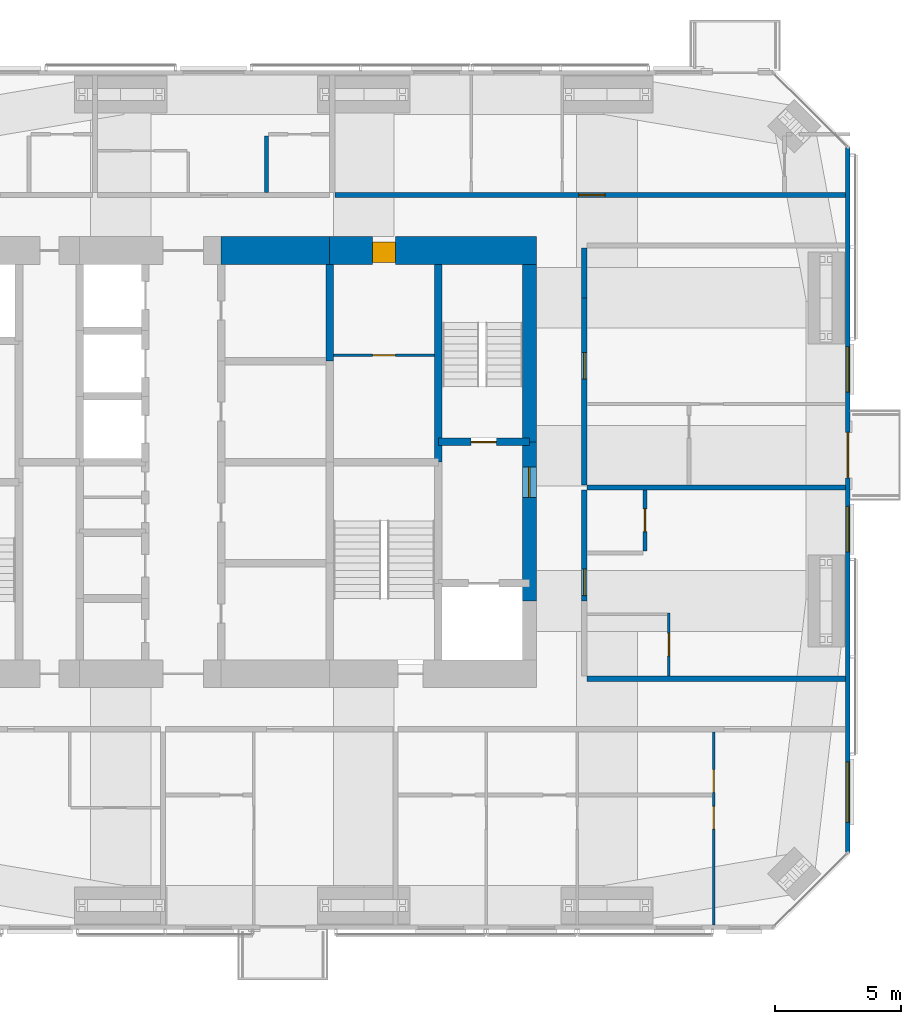
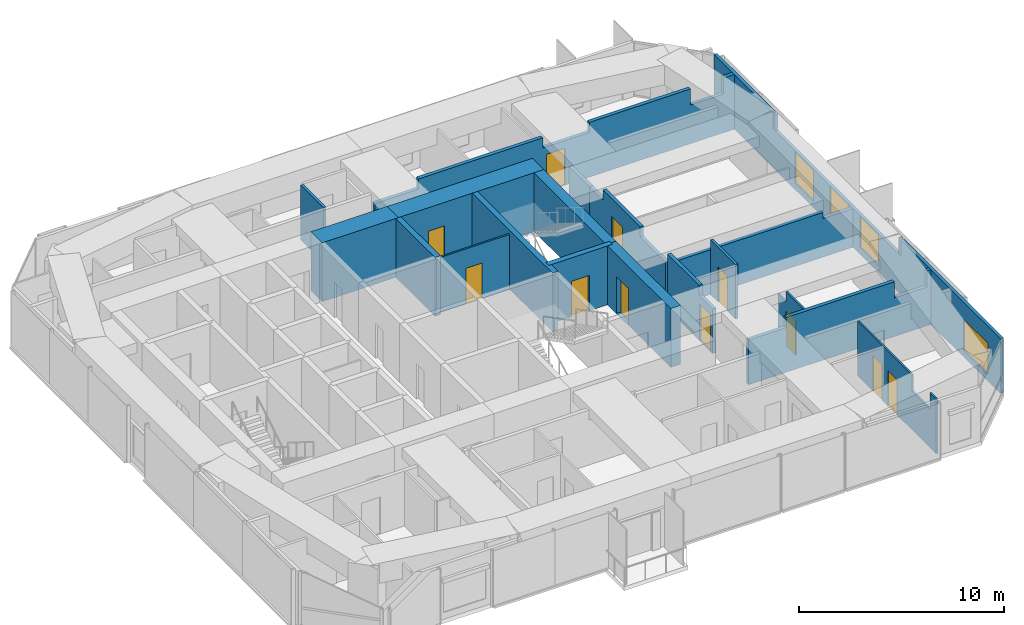
# One storey, part 15 of 18: 19 walls, 12 doors, 3 windows, 15 openings.
"""IFC4 building model written with IfcOpenShell, lengths in metres."""

from ifc_helpers import new_model, si_unit, direction, frame, frame_2d, origin, place, context, subcontext, project, spatial, polyline, rectangle, outline, extrude, material, layer, layer_set, constituent, constituent_set, type_object, element, fill, save


model = new_model("IFC4")

# Units and contexts
model_context = context("Model", 3, precision=1e-05, world=origin(), true_north=direction((0.0, 1.0)))
body_context = subcontext(model_context, "Body", "Model", "MODEL_VIEW")
ifc_project = project(units=[si_unit("LENGTHUNIT", "METRE"), si_unit("AREAUNIT", "SQUARE_METRE"), si_unit("VOLUMEUNIT", "CUBIC_METRE"), si_unit("PLANEANGLEUNIT", "RADIAN"), si_unit("MASSUNIT", "GRAM", prefix="KILO")], contexts=[model_context])

# Site, building, storey
site_placement = place(None, origin())
site = spatial("IfcSite", under=ifc_project, at=site_placement, CompositionType="ELEMENT")
building_placement = place(site_placement, origin())
building = spatial("IfcBuilding", under=site, at=building_placement, Name="Jalousie Tower", CompositionType="ELEMENT")
storey_placement = place(building_placement, frame((0.0, 0.0, 228.449951171875)))
storey = spatial("IfcBuildingStorey", under=building, at=storey_placement, Name="L62", CompositionType="ELEMENT", Elevation=228.449951171875)

# Wall
ifc_material_1 = material(Name="Concrete block ASTM C90", Category="concrete")
ifc_constituent_1 = constituent(ifc_material_1, Name="Body")
ifc_material_2 = material(Name="Render")
ifc_constituent_2 = constituent(ifc_material_2, Name="Finish")
ifc_constituent_set_1 = constituent_set(constituents=[ifc_constituent_1, ifc_constituent_2])
wall_type_1 = type_object("IfcWallType", Name="BATHROOM WALL 150", PredefinedType="PLUMBINGWALL", material=ifc_constituent_set_1)
wall_1_placement = place(storey_placement, frame((33.39990234375, 31.39990234375, 0.0), z_axis=(0.0, 0.0, 1.0), x_axis=(0.0, -1.0, 0.0)))
element("IfcWall", 1, at=wall_1_placement, inside=storey, type_object=wall_type_1, Name="Bathroom Wall 150 L62", PredefinedType="PLUMBINGWALL", context=body_context, shape_type="SweptSolid", body=[
    extrude(rectangle(XDim=2.224853515625, YDim=0.14990234375, at=frame_2d((1.1123046875, 0.0))), origin(), (0.0, 0.0, 1.0), 3.260009765625),
])

# Wall, opening, door
wall_2_placement = place(storey_placement, frame((48.375, 14.97509765625, 0.0), z_axis=(0.0, 0.0, 1.0), x_axis=(0.0, 1.0, 0.0)))
wall_2 = element("IfcWall", 2, at=wall_2_placement, inside=storey, type_object=wall_type_1, Name="Bathroom Wall 150 L62", PredefinedType="PLUMBINGWALL", context=body_context, shape_type="SweptSolid", body=[
    extrude(rectangle(XDim=2.4248046875, YDim=0.14990234375, at=frame_2d((1.21240234375, 0.0))), origin(), (0.0, 0.0, 1.0), 3.260009765625),
])
opening_1_placement = place(wall_2_placement, frame((0.77490234375, 0.0, 0.0)))
opening_1 = element("IfcOpeningElement", 3, at=opening_1_placement, cuts=wall_2, Name="Opening D3", PredefinedType="OPENING", context=body_context, shape_type="SweptSolid", body=[
    extrude(rectangle(XDim=0.89990234375, YDim=2.10009765625, at=frame_2d((0.449951171875, 1.050048828125))), frame((0.0, 0.0849609375, 0.0), z_axis=(0.0, -1.0, 0.0), x_axis=(1.0, 0.0, 0.0)), (0.0, 0.0, 1.0), 0.169921875),
])
ifc_material_3 = material(Name="Timber door", Category="wood")
door_type_1 = type_object("IfcDoorType", Name="BATHROOM DOOR 900", OperationType="SINGLE_SWING_LEFT", PredefinedType="DOOR", material=ifc_material_3)
door_1_placement = place(opening_1_placement, origin())
door_1 = element("IfcDoor", 4, at=door_1_placement, inside=storey, type_object=door_type_1, Name="Apartment 6207 bathroom door", OperationType="SINGLE_SWING_RIGHT", OverallHeight=2.10009765625, OverallWidth=0.89990234375, PredefinedType="DOOR", context=body_context, shape_type="SweptSolid", body=[
    extrude(rectangle(XDim=0.89990234375, YDim=2.10009765625, at=frame_2d((0.449951171875, 1.050048828125))), frame((0.0, 0.02490234375, 0.0), z_axis=(0.0, -1.0, 0.0), x_axis=(1.0, 0.0, 0.0)), (0.0, 0.0, 1.0), 0.050048828125),
])
fill(opening_1, door_1)

ifc_material_4 = material(Name="Concrete f'c 120 MPa", Category="concrete")
ifc_layer_1 = layer(ifc_material_4, 1.10009765625)
ifc_layer_set_1 = layer_set([ifc_layer_1], Name="Concrete f'c 120 MPa")
wall_type_2 = type_object("IfcWallType", Name="CORE WALL 1100", PredefinedType="SHEAR", material=ifc_layer_set_1)
wall_3_placement = place(storey_placement, frame((44.074951171875, 26.875, 0.0), z_axis=(0.0, 0.0, 1.0), x_axis=(-1.0, 0.0, 0.0)))
wall_3 = element("IfcWall", 5, at=wall_3_placement, inside=storey, type_object=wall_type_2, Name="Core wall NA L62", PredefinedType="SHEAR", context=body_context, shape_type="SweptSolid", body=[
    extrude(rectangle(XDim=8.175048828125, YDim=1.10009765625, at=frame_2d((4.08740234375, 0.0))), origin(), (0.0, 0.0, 1.0), 3.5),
])
opening_2_placement = place(wall_3_placement, frame((5.574951171875, 0.0, 0.0)))
opening_2 = element("IfcOpeningElement", 6, at=opening_2_placement, cuts=wall_3, Name="Opening D26", PredefinedType="OPENING", context=body_context, shape_type="SweptSolid", body=[
    extrude(rectangle(XDim=0.89990234375, YDim=2.10009765625, at=frame_2d((0.449951171875, 1.050048828125))), frame((0.0, 0.56005859375, 0.0), z_axis=(0.0, -1.0, 0.0), x_axis=(1.0, 0.0, 0.0)), (0.0, 0.0, 1.0), 1.1201171875),
])
ifc_material_5 = material(Name="Steel fire door", Category="steel")
door_type_2 = type_object("IfcDoorType", Name="HOUSEKEEPING STORE DOOR 900", OperationType="SINGLE_SWING_LEFT", PredefinedType="DOOR", material=ifc_material_5)
door_2_placement = place(opening_2_placement, origin())
door_2 = element("IfcDoor", 7, at=door_2_placement, inside=storey, type_object=door_type_2, Name="Housekeeping store door", OperationType="SINGLE_SWING_LEFT", OverallHeight=2.10009765625, OverallWidth=0.89990234375, PredefinedType="DOOR", context=body_context, shape_type="SweptSolid", body=[
    extrude(rectangle(XDim=0.89990234375, YDim=2.10009765625, at=frame_2d((0.449951171875, 1.050048828125))), frame((0.0, 0.47021484375, 0.0), z_axis=(0.0, -1.0, 0.0), x_axis=(1.0, 0.0, 0.0)), (0.0, 0.0, 1.0), 0.800048828125),
])
fill(opening_2, door_2)

# Walls
wall_4_placement = place(storey_placement, frame((35.89990234375, 26.875, 0.0), z_axis=(0.0, 0.0, 1.0), x_axis=(-1.0, 0.0, 0.0)))
element("IfcWall", 8, at=wall_4_placement, inside=storey, type_object=wall_type_2, Name="Core wall NB L62", PredefinedType="SHEAR", context=body_context, shape_type="SweptSolid", body=[
    extrude(rectangle(XDim=4.2998046875, YDim=1.10009765625, at=frame_2d((2.14990234375, 0.0))), origin(), (0.0, 0.0, 1.0), 3.5),
])
ifc_material_6 = material(Name="Concrete f'c 120 MPa", Category="concrete")
ifc_layer_2 = layer(ifc_material_6, 0.300048828125)
ifc_layer_set_2 = layer_set([ifc_layer_2], Name="Concrete f'c 120 MPa")
wall_type_3 = type_object("IfcWallType", Name="CORE WALL 300", PredefinedType="SHEAR", material=ifc_layer_set_2)
wall_5_placement = place(storey_placement, frame((35.89990234375, 22.5, 0.0), z_axis=(0.0, 0.0, 1.0), x_axis=(0.0, 1.0, 0.0)))
element("IfcWall", 9, at=wall_5_placement, inside=storey, type_object=wall_type_3, Name="Core wall X35.9D L62", PredefinedType="SHEAR", context=body_context, shape_type="SweptSolid", body=[
    extrude(rectangle(XDim=3.824951171875, YDim=0.300048828125, at=frame_2d((1.91259765625, 0.0))), origin(), (0.0, 0.0, 1.0), 3.5),
])
wall_6_placement = place(storey_placement, frame((40.199951171875, 18.5, 0.0), z_axis=(0.0, 0.0, 1.0), x_axis=(0.0, 1.0, 0.0)))
element("IfcWall", 10, at=wall_6_placement, inside=storey, type_object=wall_type_3, Name="Core wall X40.2C L62", PredefinedType="SHEAR", context=body_context, shape_type="SweptSolid", body=[
    extrude(rectangle(XDim=7.824951171875, YDim=0.300048828125, at=frame_2d((3.91259765625, 0.0))), origin(), (0.0, 0.0, 1.0), 3.5),
])

# Wall, opening, door
wall_7_placement = place(storey_placement, frame((40.199951171875, 19.300048828125, 0.0), z_axis=(0.0, 0.0, 1.0), x_axis=(1.0, 0.0, 0.0)))
wall_7 = element("IfcWall", 11, at=wall_7_placement, inside=storey, type_object=wall_type_3, Name="Core wall Y40.2-19.3 L62", PredefinedType="SHEAR", context=body_context, shape_type="SweptSolid", body=[
    extrude(rectangle(XDim=3.60009765625, YDim=0.300048828125, at=frame_2d((1.800048828125, 0.0))), origin(), (0.0, 0.0, 1.0), 3.5),
])
opening_3_placement = place(wall_7_placement, frame((1.300048828125, 0.0, 0.0)))
opening_3 = element("IfcOpeningElement", 12, at=opening_3_placement, cuts=wall_7, Name="Opening D10", PredefinedType="OPENING", context=body_context, shape_type="SweptSolid", body=[
    extrude(rectangle(XDim=1.0, YDim=2.10009765625, at=frame_2d((0.5, 1.050048828125))), frame((0.0, 0.159912109375, 0.0), z_axis=(0.0, -1.0, 0.0), x_axis=(1.0, 0.0, 0.0)), (0.0, 0.0, 1.0), 0.320068359375),
])
ifc_material_7 = material(Name="Steel fire door", Category="steel")
door_type_3 = type_object("IfcDoorType", Name="STAIR DOOR 1000", OperationType="SINGLE_SWING_LEFT", PredefinedType="DOOR", material=ifc_material_7)
door_3_placement = place(opening_3_placement, origin())
door_3 = element("IfcDoor", 13, at=door_3_placement, inside=storey, type_object=door_type_3, Name="Exit stair B door", OperationType="SINGLE_SWING_RIGHT", OverallHeight=2.10009765625, OverallWidth=1.0, PredefinedType="DOOR", context=body_context, shape_type="SweptSolid", body=[
    extrude(rectangle(XDim=1.0, YDim=2.10009765625, at=frame_2d((0.5, 1.050048828125))), frame((0.0, 0.02490234375, 0.0), z_axis=(0.0, -1.0, 0.0), x_axis=(1.0, 0.0, 0.0)), (0.0, 0.0, 1.0), 0.050048828125),
])
fill(opening_3, door_3)

ifc_material_8 = material(Name="Concrete f'c 120 MPa", Category="concrete")
ifc_layer_3 = layer(ifc_material_8, 0.550048828125)
ifc_layer_set_3 = layer_set([ifc_layer_3], Name="Concrete f'c 120 MPa")
wall_type_4 = type_object("IfcWallType", Name="CORE WALL 550", PredefinedType="SHEAR", material=ifc_layer_set_3)
wall_8_placement = place(storey_placement, frame((43.800048828125, 13.0, 0.0), z_axis=(0.0, 0.0, 1.0), x_axis=(0.0, 1.0, 0.0)))
wall_8 = element("IfcWall", 14, at=wall_8_placement, inside=storey, type_object=wall_type_4, Name="Core wall EB L62", PredefinedType="SHEAR", context=body_context, shape_type="SweptSolid", body=[
    extrude(rectangle(XDim=6.300048828125, YDim=0.550048828125, at=frame_2d((3.14990234375, 0.0))), origin(), (0.0, 0.0, 1.0), 3.5),
])
opening_4_placement = place(wall_8_placement, frame((4.10009765625, 0.0, 0.0)))
opening_4 = element("IfcOpeningElement", 15, at=opening_4_placement, cuts=wall_8, Name="Opening D11", PredefinedType="OPENING", context=body_context, shape_type="SweptSolid", body=[
    extrude(rectangle(XDim=1.199951171875, YDim=2.199951171875, at=frame_2d((0.60009765625, 1.10009765625))), frame((0.0, 0.284912109375, 0.0), z_axis=(0.0, -1.0, 0.0), x_axis=(1.0, 0.0, 0.0)), (0.0, 0.0, 1.0), 0.570068359375),
])
ifc_material_9 = material(Name="Steel fire door", Category="steel")
door_type_4 = type_object("IfcDoorType", Name="FIRE DOOR 1200", OperationType="SINGLE_SWING_LEFT", PredefinedType="DOOR", material=ifc_material_9)
door_4_placement = place(opening_4_placement, origin())
door_4 = element("IfcDoor", 16, at=door_4_placement, inside=storey, type_object=door_type_4, Name="Fire-fighting lobby B door", OperationType="SINGLE_SWING_RIGHT", OverallHeight=2.199951171875, OverallWidth=1.199951171875, PredefinedType="DOOR", context=body_context, shape_type="SweptSolid", body=[
    extrude(rectangle(XDim=1.199951171875, YDim=2.199951171875, at=frame_2d((0.60009765625, 1.10009765625))), frame((0.0, 0.02490234375, 0.0), z_axis=(0.0, -1.0, 0.0), x_axis=(1.0, 0.0, 0.0)), (0.0, 0.0, 1.0), 0.050048828125),
])
fill(opening_4, door_4)

# Walls
wall_9_placement = place(storey_placement, frame((43.800048828125, 19.300048828125, 0.0), z_axis=(0.0, 0.0, 1.0), x_axis=(0.0, 1.0, 0.0)))
element("IfcWall", 17, at=wall_9_placement, inside=storey, type_object=wall_type_4, Name="Core wall EC L62", PredefinedType="SHEAR", context=body_context, shape_type="SweptSolid", body=[
    extrude(rectangle(XDim=7.02490234375, YDim=0.550048828125, at=frame_2d((3.512451171875, 0.0))), origin(), (0.0, 0.0, 1.0), 3.5),
])
ifc_material_10 = material(Name="Concrete block ASTM C90", Category="concrete")
ifc_constituent_3 = constituent(ifc_material_10, Name="Body")
ifc_material_11 = material(Name="Render")
ifc_constituent_4 = constituent(ifc_material_11, Name="Finish")
ifc_constituent_set_2 = constituent_set(constituents=[ifc_constituent_3, ifc_constituent_4])
wall_type_5 = type_object("IfcWallType", Name="CORRIDOR WALL 200", PredefinedType="PARTITIONING", material=ifc_constituent_set_2)
wall_10_placement = place(storey_placement, frame((46.074951171875, 9.925048828125, 0.0), z_axis=(0.0, 0.0, 1.0), x_axis=(1.0, 0.0, 0.0)))
element("IfcWall", 18, at=wall_10_placement, inside=storey, type_object=wall_type_5, Name="Corridor Wall 200 L62", PredefinedType="PARTITIONING", context=body_context, shape_type="SweptSolid", body=[
    extrude(outline(polyline([(0.0, 0.0), (10.25, 0.0), (10.25, 3.260009765625), (10.032958984375, 3.260009765625), (10.032958984375, 2.300048828125), (8.20068359375, 2.300048828125), (8.20068359375, 3.260009765625), (2.110107421875, 3.260009765625), (2.110107421875, 2.66015625), (0.0, 2.66015625), (0.0, 3.260009765625), (0.0, 0.0)])), frame((0.0, 0.10009765625, 0.0), z_axis=(0.0, -1.0, 0.0), x_axis=(1.0, 0.0, 0.0)), (0.0, 0.0, 1.0), 0.199951171875),
])

# Wall, opening, door
wall_11_placement = place(storey_placement, frame((36.10009765625, 29.074951171875, 0.0), z_axis=(0.0, 0.0, 1.0), x_axis=(1.0, 0.0, 0.0)))
wall_11 = element("IfcWall", 19, at=wall_11_placement, inside=storey, type_object=wall_type_5, Name="Corridor Wall 200 L62", PredefinedType="PARTITIONING", context=body_context, shape_type="SweptSolid", body=[
    extrude(outline(polyline([(0.0, 0.0), (20.224853515625, 0.0), (20.22509765625, 3.260009765625), (19.621337890625, 3.260009765625), (19.621337890625, 2.300048828125), (17.7705078125, 2.300048828125), (17.7705078125, 3.260009765625), (12.0849609375, 3.260009765625), (12.0849609375, 2.66015625), (9.465087890625, 2.66015625), (9.465087890625, 3.260009765625), (2.4599609375, 3.260009765625), (2.4599609375, 2.66015625), (0.0, 2.66015625), (0.0, 3.260009765625), (0.0, 0.0)])), frame((0.0, 0.10009765625, 0.0), z_axis=(0.0, -1.0, 0.0), x_axis=(1.0, 0.0, 0.0)), (0.0, 0.0, 1.0), 0.199951171875),
])
opening_5_placement = place(wall_11_placement, frame((9.64990234375, 0.0, 0.0)))
opening_5 = element("IfcOpeningElement", 20, at=opening_5_placement, cuts=wall_11, Name="Opening D1", PredefinedType="OPENING", context=body_context, shape_type="SweptSolid", body=[
    extrude(rectangle(XDim=1.050048828125, YDim=2.199951171875, at=frame_2d((0.52490234375, 1.10009765625))), frame((0.0, 0.10986328125, 0.0), z_axis=(0.0, -1.0, 0.0), x_axis=(1.0, 0.0, 0.0)), (0.0, 0.0, 1.0), 0.219970703125),
])
ifc_material_12 = material(Name="Timber fire door", Category="wood")
door_type_5 = type_object("IfcDoorType", Name="APARTMENT ENTRANCE DOOR 1050", OperationType="SINGLE_SWING_LEFT", PredefinedType="DOOR", material=ifc_material_12)
door_5_placement = place(opening_5_placement, origin())
door_5 = element("IfcDoor", 21, at=door_5_placement, inside=storey, type_object=door_type_5, Name="Apartment 6206 entrance", OperationType="SINGLE_SWING_LEFT", OverallHeight=2.199951171875, OverallWidth=1.050048828125, PredefinedType="DOOR", context=body_context, shape_type="SweptSolid", body=[
    extrude(rectangle(XDim=1.050048828125, YDim=2.199951171875, at=frame_2d((0.52490234375, 1.10009765625))), frame((0.0, 0.02490234375, 0.0), z_axis=(0.0, -1.0, 0.0), x_axis=(1.0, 0.0, 0.0)), (0.0, 0.0, 1.0), 0.050048828125),
])
fill(opening_5, door_5)

wall_12_placement = place(storey_placement, frame((45.97509765625, 13.0, 0.0), z_axis=(0.0, 0.0, 1.0), x_axis=(0.0, 1.0, 0.0)))
wall_12 = element("IfcWall", 22, at=wall_12_placement, inside=storey, type_object=wall_type_5, Name="Corridor Wall 200 L62-B", PredefinedType="PARTITIONING", context=body_context, shape_type="SweptSolid", body=[
    extrude(outline(polyline([(0.0, 0.0), (4.39990234375, 0.0), (4.39990234375, 3.260009765625), (1.31005859375, 3.260009765625), (1.31005859375, 2.66015625), (0.0, 2.66015625), (0.0, 0.0)])), frame((0.0, 0.10009765625, 0.0), z_axis=(0.0, -1.0, 0.0), x_axis=(1.0, 0.0, 0.0)), (0.0, 0.0, 1.0), 0.199951171875),
])
opening_6_placement = place(wall_12_placement, frame((0.21240234375, 0.0, 0.0)))
opening_6 = element("IfcOpeningElement", 23, at=opening_6_placement, cuts=wall_12, Name="Opening D1", PredefinedType="OPENING", context=body_context, shape_type="SweptSolid", body=[
    extrude(rectangle(XDim=1.050048828125, YDim=2.199951171875, at=frame_2d((0.52490234375, 1.10009765625))), frame((0.0, 0.10986328125, 0.0), z_axis=(0.0, -1.0, 0.0), x_axis=(1.0, 0.0, 0.0)), (0.0, 0.0, 1.0), 0.219970703125),
])
door_6_placement = place(opening_6_placement, frame((1.050048828125, 0.0, 0.0), z_axis=(0.0, 0.0, 1.0), x_axis=(-1.0, 0.0, 0.0)))
door_6 = element("IfcDoor", 24, at=door_6_placement, inside=storey, type_object=door_type_5, Name="Apartment 6207 entrance", OperationType="SINGLE_SWING_LEFT", OverallHeight=2.199951171875, OverallWidth=1.050048828125, PredefinedType="DOOR", context=body_context, shape_type="SweptSolid", body=[
    extrude(rectangle(XDim=1.050048828125, YDim=2.199951171875, at=frame_2d((0.52490234375, 1.10009765625))), frame((0.0, 0.02490234375, 0.0), z_axis=(0.0, -1.0, 0.0), x_axis=(1.0, 0.0, 0.0)), (0.0, 0.0, 1.0), 0.050048828125),
])
fill(opening_6, door_6)

wall_13_placement = place(storey_placement, frame((45.97509765625, 17.60009765625, 0.0), z_axis=(0.0, 0.0, 1.0), x_axis=(0.0, 1.0, 0.0)))
wall_13 = element("IfcWall", 25, at=wall_13_placement, inside=storey, type_object=wall_type_5, Name="Corridor Wall 200 L62-A", PredefinedType="PARTITIONING", context=body_context, shape_type="SweptSolid", body=[
    extrude(outline(polyline([(0.0, 0.0), (7.39990234375, 0.0), (7.39990234375, 2.66015625), (6.090087890625, 2.66015625), (6.090087890625, 3.260009765625), (2.4599609375, 3.260009765625), (2.4599609375, 2.66015625), (0.0, 2.66015625), (0.0, 0.0)])), frame((0.0, 0.10009765625, 0.0), z_axis=(0.0, -1.0, 0.0), x_axis=(1.0, 0.0, 0.0)), (0.0, 0.0, 1.0), 0.199951171875),
])
opening_7_placement = place(wall_13_placement, frame((4.1875, 0.0, 0.0)))
opening_7 = element("IfcOpeningElement", 26, at=opening_7_placement, cuts=wall_13, Name="Opening D1", PredefinedType="OPENING", context=body_context, shape_type="SweptSolid", body=[
    extrude(rectangle(XDim=1.050048828125, YDim=2.199951171875, at=frame_2d((0.52490234375, 1.10009765625))), frame((0.0, 0.10986328125, 0.0), z_axis=(0.0, -1.0, 0.0), x_axis=(1.0, 0.0, 0.0)), (0.0, 0.0, 1.0), 0.219970703125),
])
door_7_placement = place(opening_7_placement, frame((1.050048828125, 0.0, 0.0), z_axis=(0.0, 0.0, 1.0), x_axis=(-1.0, 0.0, 0.0)))
door_7 = element("IfcDoor", 27, at=door_7_placement, inside=storey, type_object=door_type_5, Name="Apartment 6208 entrance", OperationType="SINGLE_SWING_RIGHT", OverallHeight=2.199951171875, OverallWidth=1.050048828125, PredefinedType="DOOR", context=body_context, shape_type="SweptSolid", body=[
    extrude(rectangle(XDim=1.050048828125, YDim=2.199951171875, at=frame_2d((0.52490234375, 1.10009765625))), frame((0.0, 0.02490234375, 0.0), z_axis=(0.0, -1.0, 0.0), x_axis=(1.0, 0.0, 0.0)), (0.0, 0.0, 1.0), 0.050048828125),
])
fill(opening_7, door_7)

# Wall
wall_14_placement = place(storey_placement, frame((45.97509765625, 25.0, 0.0), z_axis=(0.0, 0.0, 1.0), x_axis=(0.0, 1.0, 0.0)))
element("IfcWall", 28, at=wall_14_placement, inside=storey, type_object=wall_type_5, Name="Corridor Wall 200 L62-B", PredefinedType="PARTITIONING", context=body_context, shape_type="SweptSolid", body=[
    extrude(rectangle(XDim=1.97509765625, YDim=0.199951171875, at=frame_2d((0.987548828125, 0.0))), origin(), (0.0, 0.0, 1.0), 2.66015625),
])

# Wall, openings, door, windows
ifc_material_13 = material(Name="Concrete f'c 40 MPa", Category="concrete")
ifc_constituent_5 = constituent(ifc_material_13, Name="Body")
ifc_material_14 = material(Name="Render, pastel sky blue")
ifc_constituent_6 = constituent(ifc_material_14, Name="Finish")
ifc_constituent_set_3 = constituent_set(constituents=[ifc_constituent_5, ifc_constituent_6])
wall_type_6 = type_object("IfcWallType", Name="EXTERNAL WALL 175 SKY BLUE RENDER", PredefinedType="SOLIDWALL", material=ifc_constituent_set_3)
wall_15_placement = place(storey_placement, frame((56.41259765625, 3.05126953125, 0.0), z_axis=(0.0, 0.0, 1.0), x_axis=(0.0, 1.0, 0.0)))
wall_15 = element("IfcWall", 29, at=wall_15_placement, inside=storey, type_object=wall_type_6, Name="External Wall 175 Sky Blue Render L62", PredefinedType="SOLIDWALL", context=body_context, shape_type="SweptSolid", body=[
    extrude(outline(polyline([(0.0, 0.0), (27.8974609375, 0.0), (27.8974609375, 3.260009765625), (22.1572265625, 3.260009765625), (22.1572265625, 2.300048828125), (22.092041015625, 2.300048828125), (22.092041015625, 3.260009765625), (21.94873046875, 3.260009765625), (21.94873046875, 2.300048828125), (9.94873046875, 2.300048828125), (9.94873046875, 3.260009765625), (9.8583984375, 3.260009765625), (9.8583984375, 2.300048828125), (9.6875, 2.300048828125), (9.6875, 3.260009765625), (0.0, 3.260009765625), (0.0, 0.0)])), frame((0.0, 0.08740234375, 0.0), z_axis=(0.0, -1.0, 0.0), x_axis=(1.0, 0.0, 0.0)), (0.0, 0.0, 1.0), 0.175048828125),
])
opening_8_placement = place(wall_15_placement, frame((1.18701171875, 0.0, 0.39990234375)))
opening_8 = element("IfcOpeningElement", 30, at=opening_8_placement, cuts=wall_15, Name="Opening W-LIV185", PredefinedType="OPENING", context=body_context, shape_type="SweptSolid", body=[
    extrude(rectangle(XDim=2.39990234375, YDim=1.85009765625, at=frame_2d((1.199951171875, 0.925048828125))), frame((0.0, 0.097412109375, 0.0), z_axis=(0.0, -1.0, 0.0), x_axis=(1.0, 0.0, 0.0)), (0.0, 0.0, 1.0), 0.195068359375),
])
opening_9_placement = place(wall_15_placement, frame((11.897216796875, 0.0, 0.39990234375)))
opening_9 = element("IfcOpeningElement", 31, at=opening_9_placement, cuts=wall_15, Name="Opening W-BED185", PredefinedType="OPENING", context=body_context, shape_type="SweptSolid", body=[
    extrude(rectangle(XDim=1.800048828125, YDim=1.85009765625, at=frame_2d((0.89990234375, 0.925048828125))), frame((0.0, 0.097412109375, 0.0), z_axis=(0.0, -1.0, 0.0), x_axis=(1.0, 0.0, 0.0)), (0.0, 0.0, 1.0), 0.195068359375),
])
opening_10_placement = place(wall_15_placement, frame((14.82373046875, 0.0, 0.0)))
opening_10 = element("IfcOpeningElement", 32, at=opening_10_placement, cuts=wall_15, Name="Opening D-BAL22", PredefinedType="OPENING", context=body_context, shape_type="SweptSolid", body=[
    extrude(rectangle(XDim=1.800048828125, YDim=2.25, at=frame_2d((0.89990234375, 1.125))), frame((0.0, 0.097412109375, 0.0), z_axis=(0.0, -1.0, 0.0), x_axis=(1.0, 0.0, 0.0)), (0.0, 0.0, 1.0), 0.195068359375),
])
opening_11_placement = place(wall_15_placement, frame((18.2236328125, 0.0, 0.39990234375)))
opening_11 = element("IfcOpeningElement", 33, at=opening_11_placement, cuts=wall_15, Name="Opening W-BED185", PredefinedType="OPENING", context=body_context, shape_type="SweptSolid", body=[
    extrude(rectangle(XDim=1.800048828125, YDim=1.85009765625, at=frame_2d((0.89990234375, 0.925048828125))), frame((0.0, 0.097412109375, 0.0), z_axis=(0.0, -1.0, 0.0), x_axis=(1.0, 0.0, 0.0)), (0.0, 0.0, 1.0), 0.195068359375),
])
ifc_material_15 = material(Name="Aluminium frame, impact-rated glazing", Category="aluminium")
door_type_6 = type_object("IfcDoorType", Name="BALCONY DOOR 1800x2250", OperationType="SLIDING_TO_LEFT", PredefinedType="DOOR", material=ifc_material_15)
door_8_placement = place(opening_10_placement, origin())
door_8 = element("IfcDoor", 34, at=door_8_placement, inside=storey, type_object=door_type_6, Name="Apartment 6208 bedroom 1 balcony door", OperationType="SLIDING_TO_LEFT", OverallHeight=2.25, OverallWidth=1.800048828125, PredefinedType="DOOR", context=body_context, shape_type="SweptSolid", body=[
    extrude(rectangle(XDim=1.800048828125, YDim=2.25, at=frame_2d((0.89990234375, 1.125))), frame((0.0, 0.02490234375, 0.0), z_axis=(0.0, -1.0, 0.0), x_axis=(1.0, 0.0, 0.0)), (0.0, 0.0, 1.0), 0.050048828125),
])
fill(opening_10, door_8)
ifc_material_16 = material(Name="Aluminium frame, impact-rated glazing", Category="aluminium")
window_type_1 = type_object("IfcWindowType", Name="WINDOW BED 1800x1850", PartitioningType="SINGLE_PANEL", PredefinedType="WINDOW", material=ifc_material_16)
window_1_placement = place(opening_9_placement, origin())
window_1 = element("IfcWindow", 35, at=window_1_placement, inside=storey, type_object=window_type_1, Name="Apartment 6207 studio living and sleeping room window", OverallHeight=1.85009765625, OverallWidth=1.800048828125, PartitioningType="SINGLE_PANEL", PredefinedType="WINDOW", context=body_context, shape_type="SweptSolid", body=[
    extrude(rectangle(XDim=1.800048828125, YDim=1.85009765625, at=frame_2d((0.89990234375, 0.925048828125))), frame((0.0, 0.030029296875, 0.0), z_axis=(0.0, -1.0, 0.0), x_axis=(1.0, 0.0, 0.0)), (0.0, 0.0, 1.0), 0.06005859375),
])
fill(opening_9, window_1)
window_2_placement = place(opening_11_placement, origin())
window_2 = element("IfcWindow", 36, at=window_2_placement, inside=storey, type_object=window_type_1, Name="Apartment 6208 living, dining and kitchen window", OverallHeight=1.85009765625, OverallWidth=1.800048828125, PartitioningType="SINGLE_PANEL", PredefinedType="WINDOW", context=body_context, shape_type="SweptSolid", body=[
    extrude(rectangle(XDim=1.800048828125, YDim=1.85009765625, at=frame_2d((0.89990234375, 0.925048828125))), frame((0.0, 0.030029296875, 0.0), z_axis=(0.0, -1.0, 0.0), x_axis=(1.0, 0.0, 0.0)), (0.0, 0.0, 1.0), 0.06005859375),
])
fill(opening_11, window_2)
ifc_material_17 = material(Name="Aluminium frame, impact-rated glazing", Category="aluminium")
window_type_2 = type_object("IfcWindowType", Name="WINDOW LIV 2400x1850", PartitioningType="DOUBLE_PANEL_VERTICAL", PredefinedType="WINDOW", material=ifc_material_17)
window_3_placement = place(opening_8_placement, origin())
window_3 = element("IfcWindow", 37, at=window_3_placement, inside=storey, type_object=window_type_2, Name="Apartment 6203 living, dining and kitchen window", OverallHeight=1.85009765625, OverallWidth=2.39990234375, PartitioningType="SINGLE_PANEL", PredefinedType="WINDOW", context=body_context, shape_type="SweptSolid", body=[
    extrude(rectangle(XDim=2.39990234375, YDim=1.85009765625, at=frame_2d((1.199951171875, 0.925048828125))), frame((0.0, 0.030029296875, 0.0), z_axis=(0.0, -1.0, 0.0), x_axis=(1.0, 0.0, 0.0)), (0.0, 0.0, 1.0), 0.06005859375),
])
fill(opening_8, window_3)

# Wall, openings, doors
ifc_material_18 = material(Name="Gypsum board", Category="gypsum")
ifc_constituent_7 = constituent(ifc_material_18, Name="Body")
ifc_material_19 = material(Name="Light-gauge steel studs ASTM A653 SS Grade 33", Category="steel")
ifc_constituent_8 = constituent(ifc_material_19, Name="Framing")
ifc_constituent_set_4 = constituent_set(constituents=[ifc_constituent_7, ifc_constituent_8])
wall_type_7 = type_object("IfcWallType", Name="PARTITION 100", PredefinedType="PARTITIONING", material=ifc_constituent_set_4)
wall_16_placement = place(storey_placement, frame((51.10009765625, 0.175048828125, 0.0), z_axis=(0.0, 0.0, 1.0), x_axis=(0.0, 1.0, 0.0)))
wall_16 = element("IfcWall", 38, at=wall_16_placement, inside=storey, type_object=wall_type_7, Name="Partition 100 L62", PredefinedType="PARTITIONING", context=body_context, shape_type="SweptSolid", body=[
    extrude(outline(polyline([(0.0, 0.0), (7.64990234375, 0.0), (7.64990234375, 3.260009765625), (2.36328125, 3.260009765625), (2.36328125, 2.300048828125), (0.61865234375, 2.300048828125), (0.61865234375, 3.260009765625), (0.0, 3.260009765625), (0.0, 0.0)])), frame((0.0, 0.050048828125, 0.0), z_axis=(0.0, -1.0, 0.0), x_axis=(1.0, 0.0, 0.0)), (0.0, 0.0, 1.0), 0.10009765625),
])
opening_12_placement = place(wall_16_placement, frame((3.800048828125, 0.0, 0.0)))
opening_12 = element("IfcOpeningElement", 39, at=opening_12_placement, cuts=wall_16, Name="Opening D2", PredefinedType="OPENING", context=body_context, shape_type="SweptSolid", body=[
    extrude(rectangle(XDim=0.89990234375, YDim=2.10009765625, at=frame_2d((0.449951171875, 1.050048828125))), frame((0.0, 0.06005859375, 0.0), z_axis=(0.0, -1.0, 0.0), x_axis=(1.0, 0.0, 0.0)), (0.0, 0.0, 1.0), 0.1201171875),
])
opening_13_placement = place(wall_16_placement, frame((5.25, 0.0, 0.0)))
opening_13 = element("IfcOpeningElement", 40, at=opening_13_placement, cuts=wall_16, Name="Opening D7", PredefinedType="OPENING", context=body_context, shape_type="SweptSolid", body=[
    extrude(rectangle(XDim=0.89990234375, YDim=2.10009765625, at=frame_2d((0.449951171875, 1.050048828125))), frame((0.0, 0.06005859375, 0.0), z_axis=(0.0, -1.0, 0.0), x_axis=(1.0, 0.0, 0.0)), (0.0, 0.0, 1.0), 0.1201171875),
])
ifc_material_20 = material(Name="Timber door", Category="wood")
door_type_7 = type_object("IfcDoorType", Name="BEDROOM DOOR 900", OperationType="SINGLE_SWING_LEFT", PredefinedType="DOOR", material=ifc_material_20)
door_9_placement = place(opening_12_placement, origin())
door_9 = element("IfcDoor", 41, at=door_9_placement, inside=storey, type_object=door_type_7, Name="Apartment 6203 bedroom 3 door", OperationType="SINGLE_SWING_RIGHT", OverallHeight=2.10009765625, OverallWidth=0.89990234375, PredefinedType="DOOR", context=body_context, shape_type="SweptSolid", body=[
    extrude(rectangle(XDim=0.89990234375, YDim=2.10009765625, at=frame_2d((0.449951171875, 1.050048828125))), frame((0.0, 0.02490234375, 0.0), z_axis=(0.0, -1.0, 0.0), x_axis=(1.0, 0.0, 0.0)), (0.0, 0.0, 1.0), 0.050048828125),
])
fill(opening_12, door_9)
ifc_material_21 = material(Name="Timber door", Category="wood")
door_type_8 = type_object("IfcDoorType", Name="INTERNAL DOOR 900", OperationType="SINGLE_SWING_LEFT", PredefinedType="DOOR", material=ifc_material_21)
door_10_placement = place(opening_13_placement, origin())
door_10 = element("IfcDoor", 42, at=door_10_placement, inside=storey, type_object=door_type_8, Name="Apartment 6203 bathroom door", OperationType="SINGLE_SWING_LEFT", OverallHeight=2.10009765625, OverallWidth=0.89990234375, PredefinedType="DOOR", context=body_context, shape_type="SweptSolid", body=[
    extrude(rectangle(XDim=0.89990234375, YDim=2.10009765625, at=frame_2d((0.449951171875, 1.050048828125))), frame((0.0, 0.02490234375, 0.0), z_axis=(0.0, -1.0, 0.0), x_axis=(1.0, 0.0, 0.0)), (0.0, 0.0, 1.0), 0.050048828125),
])
fill(opening_13, door_10)

# Wall, opening, door
wall_17_placement = place(storey_placement, frame((49.324951171875, 10.02490234375, 0.0), z_axis=(0.0, 0.0, 1.0), x_axis=(0.0, 1.0, 0.0)))
wall_17 = element("IfcWall", 43, at=wall_17_placement, inside=storey, type_object=wall_type_7, Name="Partition 100 L62", PredefinedType="PARTITIONING", context=body_context, shape_type="SweptSolid", body=[
    extrude(outline(polyline([(0.0, 0.0), (2.5, 0.0), (2.5, 3.260009765625), (2.5, 2.66015625), (1.715087890625, 2.66015625), (1.715087890625, 3.260009765625), (0.0, 3.260009765625), (0.0, 0.0)])), frame((0.0, 0.050048828125, 0.0), z_axis=(0.0, -1.0, 0.0), x_axis=(1.0, 0.0, 0.0)), (0.0, 0.0, 1.0), 0.10009765625),
])
opening_14_placement = place(wall_17_placement, frame((0.800048828125, 0.0, 0.0)))
opening_14 = element("IfcOpeningElement", 44, at=opening_14_placement, cuts=wall_17, Name="Opening D7", PredefinedType="OPENING", context=body_context, shape_type="SweptSolid", body=[
    extrude(rectangle(XDim=0.89990234375, YDim=2.10009765625, at=frame_2d((0.449951171875, 1.050048828125))), frame((0.0, 0.06005859375, 0.0), z_axis=(0.0, -1.0, 0.0), x_axis=(1.0, 0.0, 0.0)), (0.0, 0.0, 1.0), 0.1201171875),
])
door_11_placement = place(opening_14_placement, origin())
door_11 = element("IfcDoor", 45, at=door_11_placement, inside=storey, type_object=door_type_8, Name="Apartment 6207 kitchen door", OperationType="SINGLE_SWING_RIGHT", OverallHeight=2.10009765625, OverallWidth=0.89990234375, PredefinedType="DOOR", context=body_context, shape_type="SweptSolid", body=[
    extrude(rectangle(XDim=0.89990234375, YDim=2.10009765625, at=frame_2d((0.449951171875, 1.050048828125))), frame((0.0, 0.02490234375, 0.0), z_axis=(0.0, -1.0, 0.0), x_axis=(1.0, 0.0, 0.0)), (0.0, 0.0, 1.0), 0.050048828125),
])
fill(opening_14, door_11)

wall_18_placement = place(storey_placement, frame((36.050048828125, 22.72509765625, 0.0), z_axis=(0.0, 0.0, 1.0), x_axis=(1.0, 0.0, 0.0)))
wall_18 = element("IfcWall", 46, at=wall_18_placement, inside=storey, type_object=wall_type_7, Name="Partition 100 L62", PredefinedType="PARTITIONING", context=body_context, shape_type="SweptSolid", body=[
    extrude(rectangle(XDim=4.0, YDim=0.10009765625, at=frame_2d((2.0, 0.0))), origin(), (0.0, 0.0, 1.0), 3.260009765625),
])
opening_15_placement = place(wall_18_placement, frame((1.550048828125, 0.0, 0.0)))
opening_15 = element("IfcOpeningElement", 47, at=opening_15_placement, cuts=wall_18, Name="Opening D7", PredefinedType="OPENING", context=body_context, shape_type="SweptSolid", body=[
    extrude(rectangle(XDim=0.89990234375, YDim=2.10009765625, at=frame_2d((0.449951171875, 1.050048828125))), frame((0.0, 0.06005859375, 0.0), z_axis=(0.0, -1.0, 0.0), x_axis=(1.0, 0.0, 0.0)), (0.0, 0.0, 1.0), 0.1201171875),
])
door_12_placement = place(opening_15_placement, frame((0.89990234375, 0.0, 0.0), z_axis=(0.0, 0.0, 1.0), x_axis=(-1.0, 0.0, 0.0)))
door_12 = element("IfcDoor", 48, at=door_12_placement, inside=storey, type_object=door_type_8, Name="Linen store door", OperationType="SINGLE_SWING_RIGHT", OverallHeight=2.10009765625, OverallWidth=0.89990234375, PredefinedType="DOOR", context=body_context, shape_type="SweptSolid", body=[
    extrude(rectangle(XDim=0.89990234375, YDim=2.10009765625, at=frame_2d((0.449951171875, 1.050048828125))), frame((0.0, 0.02490234375, 0.0), z_axis=(0.0, -1.0, 0.0), x_axis=(1.0, 0.0, 0.0)), (0.0, 0.0, 1.0), 0.050048828125),
])
fill(opening_15, door_12)

# Wall
ifc_material_22 = material(Name="Concrete block ASTM C90", Category="concrete")
ifc_constituent_9 = constituent(ifc_material_22, Name="Body")
ifc_material_23 = material(Name="Render")
ifc_constituent_10 = constituent(ifc_material_23, Name="Finish")
ifc_constituent_set_5 = constituent_set(constituents=[ifc_constituent_9, ifc_constituent_10])
wall_type_8 = type_object("IfcWallType", Name="PARTY WALL 200", PredefinedType="PARTITIONING", material=ifc_constituent_set_5)
wall_19_placement = place(storey_placement, frame((56.324951171875, 17.5, 0.0), z_axis=(0.0, 0.0, 1.0), x_axis=(-1.0, 0.0, 0.0)))
element("IfcWall", 49, at=wall_19_placement, inside=storey, type_object=wall_type_8, Name="Party Wall 200 L62", PredefinedType="PARTITIONING", context=body_context, shape_type="SweptSolid", body=[
    extrude(outline(polyline([(0.0, 0.0), (10.25, 0.0), (10.25, 3.260009765625), (10.25, 2.66015625), (1.68505859375, 2.66015625), (1.68505859375, 2.300048828125), (0.0, 2.300048828125), (0.0, 3.260009765625), (0.0, 0.0)])), frame((0.0, 0.10009765625, 0.0), z_axis=(0.0, -1.0, 0.0), x_axis=(1.0, 0.0, 0.0)), (0.0, 0.0, 1.0), 0.199951171875),
])

save(model, "model.ifc")
